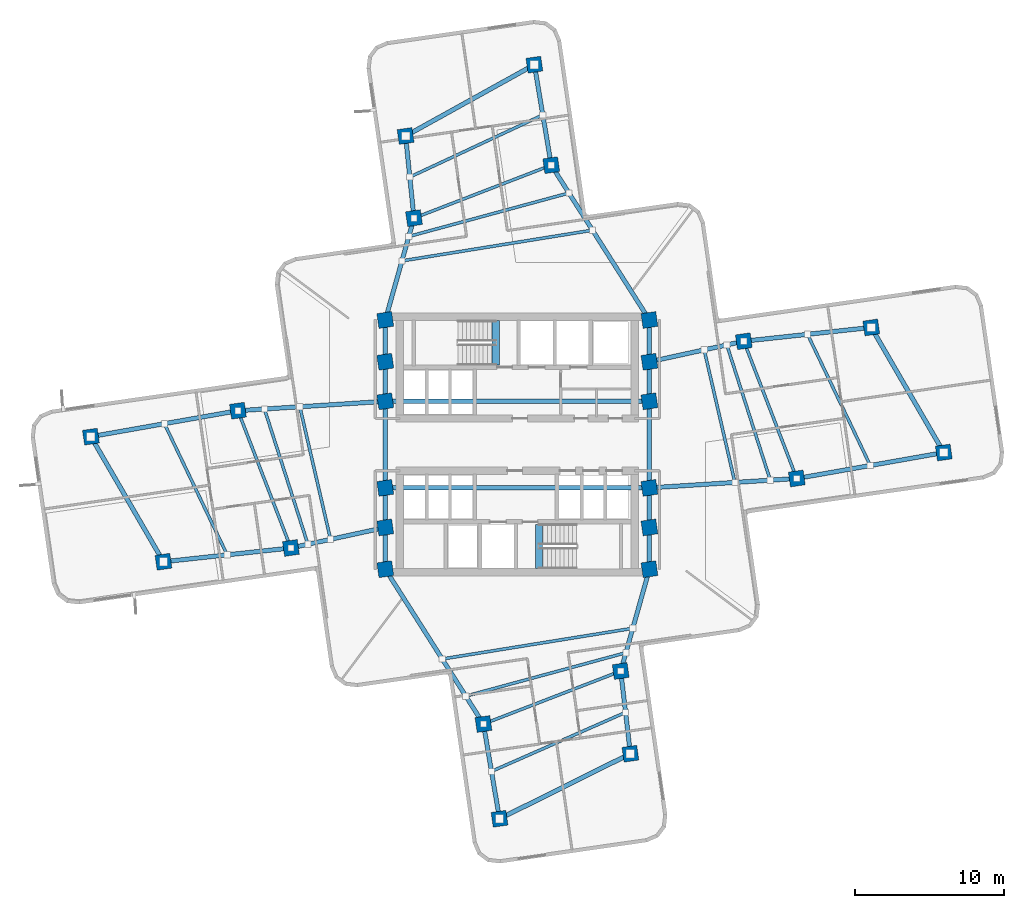
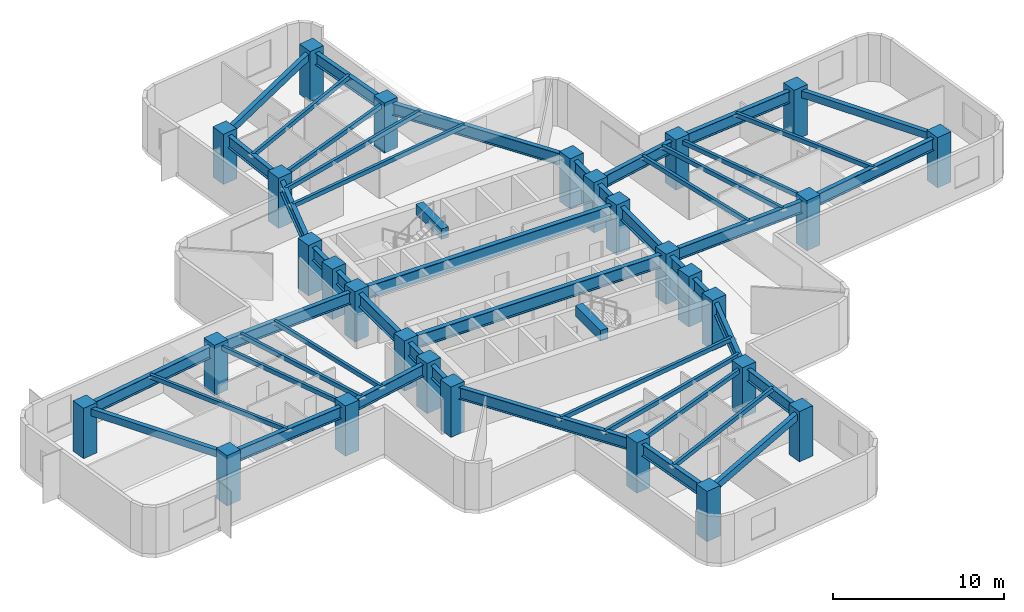
# One storey, part 1 of 10: 50 beams, 28 columns.
"""IFC4 building model written with IfcOpenShell, lengths in metres."""

from ifc_helpers import new_model, si_unit, direction, frame, origin, origin_2d, place, context, subcontext, project, spatial, rectangle, hollow_rectangle, i_section, extrude, material, material_profile, profile_set, type_object, element, save


model = new_model("IFC4")

# Units and contexts
model_context = context("Model", 3, precision=1e-05, world=origin(), true_north=direction((0.0, 1.0)))
body_context = subcontext(model_context, "Body", "Model", "MODEL_VIEW")
ifc_project = project(units=[si_unit("LENGTHUNIT", "METRE"), si_unit("AREAUNIT", "SQUARE_METRE"), si_unit("VOLUMEUNIT", "CUBIC_METRE"), si_unit("PLANEANGLEUNIT", "RADIAN"), si_unit("MASSUNIT", "GRAM", prefix="KILO")], contexts=[model_context])

# Site, building, storey
site_placement = place(None, origin())
site = spatial("IfcSite", under=ifc_project, at=site_placement, CompositionType="ELEMENT")
building_placement = place(site_placement, origin())
building = spatial("IfcBuilding", under=site, at=building_placement, Name="Solmarez Civic Tower", CompositionType="ELEMENT")
storey_placement = place(building_placement, frame((0.0, 0.0, 85.679931640625)))
storey = spatial("IfcBuildingStorey", under=building, at=storey_placement, Name="L22", CompositionType="ELEMENT", Elevation=85.679931640625)

# Columns
ifc_material_1 = material(Name="Concrete C60/75", Category="concrete")
ifc_material_profile_1 = material_profile(ifc_material_1, rectangle(XDim=1.0, YDim=1.0, at=origin_2d()), Name="RC1000X1000")
ifc_profile_set_1 = profile_set([ifc_material_profile_1], Name="Concrete C60/75")
column_type = type_object("IfcColumnType", Name="COL-RC1000", PredefinedType="COLUMN", material=ifc_profile_set_1)
for number, where, z_axis, x_axis, name in (
    (1, (-8.85009765625, -5.550048828125, 0.0), (0.0, 0.0, 1.0), (0.989776230908, 0.142628933706, 0.0), "L22 Structural Column HC1"),
    (2, (-8.85009765625, -2.89990234375, 0.0), (0.0, 0.0, 1.0), (0.989776230908, 0.142628933706, 0.0), "L22 Structural Column HC2"),
    (3, (-8.85009765625, 2.89990234375, 0.0), (0.0, 0.0, 1.0), (0.989776230908, 0.142628933706, 0.0), "L22 Structural Column HC3"),
    (4, (-8.85009765625, 5.550048828125, 0.0), (0.0, 0.0, 1.0), (0.989776230908, 0.142628933706, 0.0), "L22 Structural Column HC4"),
    (5, (8.85009765625, -5.550048828125, 0.0), (0.0, 0.0, 1.0), (0.989776230908, 0.142628933706, 0.0), "L22 Structural Column HC5"),
    (6, (8.85009765625, -2.89990234375, 0.0), (0.0, 0.0, 1.0), (0.989776230908, 0.142628933706, 0.0), "L22 Structural Column HC6"),
    (7, (8.85009765625, 2.89990234375, 0.0), (0.0, 0.0, 1.0), (0.989776230908, 0.142628933706, 0.0), "L22 Structural Column HC7"),
    (8, (8.85009765625, 5.550048828125, 0.0), (0.0, 0.0, 1.0), (0.989776230908, 0.142628933706, 0.0), "L22 Structural Column HC8"),
    (9, (-8.85009765625, 8.35009765625, 0.0), (0.0, 0.0, 1.0), (0.989776230908, 0.142628933706, 0.0), "L22 Structural Column HC9"),
    (10, (8.85009765625, -8.35009765625, 0.0), (0.0, 0.0, 1.0), (0.989776230908, 0.142628933706, 0.0), "L22 Structural Column HC10"),
    (11, (8.85009765625, 8.35009765625, 0.0), (0.0, 0.0, 1.0), (0.989776230908, 0.142628933706, 0.0), "L22 Structural Column HC11"),
    (12, (-8.85009765625, -8.35009765625, 0.0), (0.0, 0.0, 1.0), (0.989776230908, 0.142628933706, 0.0), "L22 Structural Column HC12"),
    (13, (18.72412109375, -2.27099609375, 0.0), (0.0, 0.0, 1.0), (0.989776230908, 0.142628933706, 0.0), "L22 Structural Column EA11"),
    (14, (15.175048828125, 6.927001953125, 0.0), (0.0, 0.0, 1.0), (0.989776230908, 0.142628933706, 0.0), "L22 Structural Column EA12"),
    (15, (28.575927734375, -0.532958984375, 0.0), (0.0, 0.0, 1.0), (0.989776230908, 0.142628933706, 0.0), "L22 Structural Column EA21"),
    (16, (23.715087890625, 7.85107421875, 0.0), (0.0, 0.0, 1.0), (0.989776230908, 0.142628933706, 0.0), "L22 Structural Column EA22"),
    (17, (2.27099609375, 18.72412109375, 0.0), (0.0, 0.0, 1.0), (0.989776230908, 0.142628933706, 0.0), "L22 Structural Column NA11"),
    (18, (-6.927001953125, 15.175048828125, 0.0), (0.0, 0.0, 1.0), (0.989776230908, 0.142628933706, 0.0), "L22 Structural Column NA12"),
    (19, (1.138916015625, 25.45703125, 0.0), (0.0, 0.0, 1.0), (0.989776230908, 0.142628933706, 0.0), "L22 Structural Column NA21"),
    (20, (-7.489013671875, 20.678955078125, 0.0), (0.0, 0.0, 1.0), (0.989776230908, 0.142628933706, 0.0), "L22 Structural Column NA22"),
    (21, (-18.72412109375, 2.27099609375, 0.0), (0.0, 0.0, 1.0), (0.989776230908, 0.142628933706, 0.0), "L22 Structural Column WA11"),
    (22, (-15.175048828125, -6.927001953125, 0.0), (0.0, 0.0, 1.0), (0.989776230908, 0.142628933706, 0.0), "L22 Structural Column WA12"),
    (23, (-28.575927734375, 0.532958984375, 0.0), (0.0, 0.0, 1.0), (0.989776230908, 0.142628933706, 0.0), "L22 Structural Column WA21"),
    (24, (-23.715087890625, -7.85107421875, 0.0), (0.0, 0.0, 1.0), (0.989776230908, 0.142628933706, 0.0), "L22 Structural Column WA22"),
    (25, (-2.27099609375, -18.72412109375, 0.0), (0.0, 0.0, 1.0), (0.989776230908, 0.142628933706, 0.0), "L22 Structural Column SA11"),
    (26, (6.927001953125, -15.175048828125, 0.0), (0.0, 0.0, 1.0), (0.989776230908, 0.142628933706, 0.0), "L22 Structural Column SA12"),
    (27, (-1.195068359375, -25.073974609375, 0.0), (0.0, 0.0, 1.0), (0.989776230908, 0.142628933706, 0.0), "L22 Structural Column SA21"),
    (28, (7.573974609375, -20.714111328125, 0.0), (0.0, 0.0, 1.0), (0.989776230908, 0.142628933706, 0.0), "L22 Structural Column SA22"),
):
    element("IfcColumn", number, at=place(storey_placement, frame(where, z_axis=z_axis, x_axis=x_axis)), inside=storey, type_object=column_type, Name=name, PredefinedType="COLUMN", context=body_context, shape_type="SweptSolid", body=[
        extrude(rectangle(XDim=1.0, YDim=1.0, at=origin_2d()), origin(), (0.0, 0.0, 1.0), 3.60009765625),
    ])

# Beams
ifc_material_2 = material(Name="Steel S355", Category="steel")
ifc_material_profile_2 = material_profile(ifc_material_2, hollow_rectangle(XDim=0.199951171875, YDim=0.300048828125, WallThickness=0.011962890625, at=origin_2d()), Name="HSS300X200X12")
ifc_profile_set_2 = profile_set([ifc_material_profile_2], Name="Steel S355")
beam_type_1 = type_object("IfcBeamType", Name="BM-JS-HSS300X200", PredefinedType="JOIST", material=ifc_profile_set_2)
beam_1_placement = place(storey_placement, frame((18.72412109375, -2.27099609375, 3.190185546875), z_axis=(-0.359984466214, 0.932958297077, 0.0), x_axis=(-0.932958297077, -0.359984466214, 0.0)))
element("IfcBeam", 29, at=beam_1_placement, inside=storey, type_object=beam_type_1, Name="L22 Secondary Floor Joist BM-L22-EA-T1", PredefinedType="JOIST", context=body_context, shape_type="SweptSolid", body=[
    extrude(hollow_rectangle(XDim=0.199951171875, YDim=0.300048828125, WallThickness=0.011962890625, at=origin_2d()), origin(), (0.0, 0.0, 1.0), 9.85888671875),
])
beam_2_placement = place(storey_placement, frame((23.64990234375, -1.402099609375, 3.190185546875), z_axis=(-0.431491843414, 0.902116837814, 0.0), x_axis=(-0.902116837814, -0.431491843414, 0.0)))
element("IfcBeam", 30, at=beam_2_placement, inside=storey, type_object=beam_type_1, Name="L22 Secondary Floor Joist JS-L22-EA-M2", PredefinedType="JOIST", context=body_context, shape_type="SweptSolid", body=[
    extrude(hollow_rectangle(XDim=0.199951171875, YDim=0.300048828125, WallThickness=0.011962890625, at=origin_2d()), origin(), (0.0, 0.0, 1.0), 9.744873046875),
])
beam_3_placement = place(storey_placement, frame((14.576904296875, -2.534912109375, 3.190185546875), z_axis=(-0.225762717226, 0.974182321494, 0.0), x_axis=(-0.974182321494, -0.225762717226, 0.0)))
element("IfcBeam", 31, at=beam_3_placement, inside=storey, type_object=beam_type_1, Name="L22 Secondary Floor Joist JS-L22-EA-M11", PredefinedType="JOIST", context=body_context, shape_type="SweptSolid", body=[
    extrude(hollow_rectangle(XDim=0.199951171875, YDim=0.300048828125, WallThickness=0.011962890625, at=origin_2d()), origin(), (0.0, 0.0, 1.0), 9.119384765625),
])
beam_4_placement = place(storey_placement, frame((16.947021484375, -2.384033203125, 3.190185546875), z_axis=(-0.305705295997, 0.952126184914, 0.0), x_axis=(-0.952126184914, -0.305705295997, 0.0)))
element("IfcBeam", 32, at=beam_4_placement, inside=storey, type_object=beam_type_1, Name="L22 Secondary Floor Joist JS-L22-EA-M12", PredefinedType="JOIST", context=body_context, shape_type="SweptSolid", body=[
    extrude(hollow_rectangle(XDim=0.199951171875, YDim=0.300048828125, WallThickness=0.011962890625, at=origin_2d()), origin(), (0.0, 0.0, 1.0), 9.518798828125),
])
beam_5_placement = place(storey_placement, frame((2.27099609375, 18.72412109375, 3.190185546875), z_axis=(-0.932958297077, -0.359984466214, 0.0), x_axis=(0.359984466214, -0.932958297077, 0.0)))
element("IfcBeam", 33, at=beam_5_placement, inside=storey, type_object=beam_type_1, Name="L22 Secondary Floor Joist BM-L22-NA-T1", PredefinedType="JOIST", context=body_context, shape_type="SweptSolid", body=[
    extrude(hollow_rectangle(XDim=0.199951171875, YDim=0.300048828125, WallThickness=0.011962890625, at=origin_2d()), origin(), (0.0, 0.0, 1.0), 9.85888671875),
])
beam_6_placement = place(storey_placement, frame((1.705078125, 22.090087890625, 3.190185546875), z_axis=(-0.906041066986, -0.423189774138, 0.0), x_axis=(0.423189774138, -0.906041066986, 0.0)))
element("IfcBeam", 34, at=beam_6_placement, inside=storey, type_object=beam_type_1, Name="L22 Secondary Floor Joist JS-L22-NA-M2", PredefinedType="JOIST", context=body_context, shape_type="SweptSolid", body=[
    extrude(hollow_rectangle(XDim=0.199951171875, YDim=0.300048828125, WallThickness=0.011962890625, at=origin_2d()), origin(), (0.0, 0.0, 1.0), 9.83740234375),
])
beam_7_placement = place(storey_placement, frame((5.033935546875, 14.366943359375, 3.190185546875), z_axis=(-0.987261309887, -0.159107215423, 0.0), x_axis=(0.159107215423, -0.987261309887, 0.0)))
element("IfcBeam", 35, at=beam_7_placement, inside=storey, type_object=beam_type_1, Name="L22 Secondary Floor Joist JS-L22-NA-M11", PredefinedType="JOIST", context=body_context, shape_type="SweptSolid", body=[
    extrude(hollow_rectangle(XDim=0.199951171875, YDim=0.300048828125, WallThickness=0.011962890625, at=origin_2d()), origin(), (0.0, 0.0, 1.0), 12.933837890625),
])
beam_8_placement = place(storey_placement, frame((3.455078125, 16.85693359375, 3.190185546875), z_axis=(-0.965126314795, -0.261784637614, 0.0), x_axis=(0.261784637614, -0.965126314795, 0.0)))
element("IfcBeam", 36, at=beam_8_placement, inside=storey, type_object=beam_type_1, Name="L22 Secondary Floor Joist JS-L22-NA-M12", PredefinedType="JOIST", context=body_context, shape_type="SweptSolid", body=[
    extrude(hollow_rectangle(XDim=0.199951171875, YDim=0.300048828125, WallThickness=0.011962890625, at=origin_2d()), origin(), (0.0, 0.0, 1.0), 11.11572265625),
])
beam_9_placement = place(storey_placement, frame((-18.72412109375, 2.27099609375, 3.190185546875), z_axis=(0.359984466214, -0.932958297077, 0.0), x_axis=(0.932958297077, 0.359984466214, 0.0)))
element("IfcBeam", 37, at=beam_9_placement, inside=storey, type_object=beam_type_1, Name="L22 Secondary Floor Joist BM-L22-WA-T1", PredefinedType="JOIST", context=body_context, shape_type="SweptSolid", body=[
    extrude(hollow_rectangle(XDim=0.199951171875, YDim=0.300048828125, WallThickness=0.011962890625, at=origin_2d()), origin(), (0.0, 0.0, 1.0), 9.85888671875),
])
beam_10_placement = place(storey_placement, frame((-23.64990234375, 1.402099609375, 3.190185546875), z_axis=(0.431491843414, -0.902116837814, 0.0), x_axis=(0.902116837814, 0.431491843414, 0.0)))
element("IfcBeam", 38, at=beam_10_placement, inside=storey, type_object=beam_type_1, Name="L22 Secondary Floor Joist JS-L22-WA-M2", PredefinedType="JOIST", context=body_context, shape_type="SweptSolid", body=[
    extrude(hollow_rectangle(XDim=0.199951171875, YDim=0.300048828125, WallThickness=0.011962890625, at=origin_2d()), origin(), (0.0, 0.0, 1.0), 9.744873046875),
])
beam_11_placement = place(storey_placement, frame((-14.576904296875, 2.534912109375, 3.190185546875), z_axis=(0.225762717226, -0.974182321494, 0.0), x_axis=(0.974182321494, 0.225762717226, 0.0)))
element("IfcBeam", 39, at=beam_11_placement, inside=storey, type_object=beam_type_1, Name="L22 Secondary Floor Joist JS-L22-WA-M11", PredefinedType="JOIST", context=body_context, shape_type="SweptSolid", body=[
    extrude(hollow_rectangle(XDim=0.199951171875, YDim=0.300048828125, WallThickness=0.011962890625, at=origin_2d()), origin(), (0.0, 0.0, 1.0), 9.119384765625),
])
beam_12_placement = place(storey_placement, frame((-16.947021484375, 2.384033203125, 3.190185546875), z_axis=(0.305705295997, -0.952126184914, 0.0), x_axis=(0.952126184914, 0.305705295997, 0.0)))
element("IfcBeam", 40, at=beam_12_placement, inside=storey, type_object=beam_type_1, Name="L22 Secondary Floor Joist JS-L22-WA-M12", PredefinedType="JOIST", context=body_context, shape_type="SweptSolid", body=[
    extrude(hollow_rectangle(XDim=0.199951171875, YDim=0.300048828125, WallThickness=0.011962890625, at=origin_2d()), origin(), (0.0, 0.0, 1.0), 9.518798828125),
])
beam_13_placement = place(storey_placement, frame((-2.27099609375, -18.72412109375, 3.190185546875), z_axis=(0.932958297077, 0.359984466214, 0.0), x_axis=(-0.359984466214, 0.932958297077, 0.0)))
element("IfcBeam", 41, at=beam_13_placement, inside=storey, type_object=beam_type_1, Name="L22 Secondary Floor Joist BM-L22-SA-T1", PredefinedType="JOIST", context=body_context, shape_type="SweptSolid", body=[
    extrude(hollow_rectangle(XDim=0.199951171875, YDim=0.300048828125, WallThickness=0.011962890625, at=origin_2d()), origin(), (0.0, 0.0, 1.0), 9.85888671875),
])
beam_14_placement = place(storey_placement, frame((-1.73291015625, -21.89892578125, 3.190185546875), z_axis=(0.915226616427, 0.402939499905, 0.0), x_axis=(-0.402939499905, 0.915226616427, 0.0)))
element("IfcBeam", 42, at=beam_14_placement, inside=storey, type_object=beam_type_1, Name="L22 Secondary Floor Joist JS-L22-SA-M2", PredefinedType="JOIST", context=body_context, shape_type="SweptSolid", body=[
    extrude(hollow_rectangle(XDim=0.199951171875, YDim=0.300048828125, WallThickness=0.011962890625, at=origin_2d()), origin(), (0.0, 0.0, 1.0), 9.81494140625),
])
beam_15_placement = place(storey_placement, frame((-5.033935546875, -14.366943359375, 3.190185546875), z_axis=(0.987261309887, 0.159107215423, 0.0), x_axis=(-0.159107215423, 0.987261309887, 0.0)))
element("IfcBeam", 43, at=beam_15_placement, inside=storey, type_object=beam_type_1, Name="L22 Secondary Floor Joist JS-L22-SA-M11", PredefinedType="JOIST", context=body_context, shape_type="SweptSolid", body=[
    extrude(hollow_rectangle(XDim=0.199951171875, YDim=0.300048828125, WallThickness=0.011962890625, at=origin_2d()), origin(), (0.0, 0.0, 1.0), 12.933837890625),
])
beam_16_placement = place(storey_placement, frame((-3.455078125, -16.85693359375, 3.190185546875), z_axis=(0.965126314795, 0.261784637614, 0.0), x_axis=(-0.261784637614, 0.965126314795, 0.0)))
element("IfcBeam", 44, at=beam_16_placement, inside=storey, type_object=beam_type_1, Name="L22 Secondary Floor Joist JS-L22-SA-M12", PredefinedType="JOIST", context=body_context, shape_type="SweptSolid", body=[
    extrude(hollow_rectangle(XDim=0.199951171875, YDim=0.300048828125, WallThickness=0.011962890625, at=origin_2d()), origin(), (0.0, 0.0, 1.0), 11.11572265625),
])
ifc_material_3 = material(Name="Concrete C50/60", Category="concrete")
ifc_material_profile_3 = material_profile(ifc_material_3, rectangle(XDim=0.5, YDim=0.75, at=origin_2d()), Name="RC500X750")
ifc_profile_set_3 = profile_set([ifc_material_profile_3], Name="Concrete C50/60")
beam_type_2 = type_object("IfcBeamType", Name="BM-PR-RC500X750", PredefinedType="BEAM", material=ifc_profile_set_3)
for number, where, z_axis, x_axis, name in (
    (45, (-1.449951171875, 5.340087890625, 3.233154296875), (0.0, 1.0, 0.0), (-1.0, 0.0, 0.0), "L22 North Stair Threshold Beam"),
    (46, (1.449951171875, -8.300048828125, 3.233154296875), (0.0, 1.0, 0.0), (-1.0, 0.0, 0.0), "L22 South Stair Threshold Beam"),
):
    element("IfcBeam", number, at=place(storey_placement, frame(where, z_axis=z_axis, x_axis=x_axis)), inside=storey, type_object=beam_type_2, Name=name, PredefinedType="BEAM", context=body_context, shape_type="SweptSolid", body=[
        extrude(rectangle(XDim=0.5, YDim=0.75, at=origin_2d()), origin(), (0.0, 0.0, 1.0), 2.9599609375),
    ])
ifc_material_profile_4 = material_profile(ifc_material_2, i_section(OverallWidth=0.2919921875, OverallDepth=0.845947265625, WebThickness=0.015380859375, FlangeThickness=0.0244140625, at=origin_2d()), Name="W33X141")
ifc_profile_set_4 = profile_set([ifc_material_profile_4], Name="Steel S355")
beam_type_3 = type_object("IfcBeamType", Name="BM-PR-W33X141", PredefinedType="BEAM", material=ifc_profile_set_4)
beam_17_placement = place(storey_placement, frame((8.85009765625, -2.89990234375, 2.9169921875), z_axis=(0.997977751208, 0.063564204508, 0.0), x_axis=(-0.063564204508, 0.997977751208, 0.0)))
element("IfcBeam", 47, at=beam_17_placement, inside=storey, type_object=beam_type_3, Name="L22 Primary Floor Beam BM-L22-EA-R1A", PredefinedType="BEAM", context=body_context, shape_type="SweptSolid", body=[
    extrude(i_section(OverallWidth=0.2919921875, OverallDepth=0.845947265625, WebThickness=0.015380859375, FlangeThickness=0.0244140625, at=origin_2d()), origin(), (0.0, 0.0, 1.0), 9.89404296875),
])
beam_18_placement = place(storey_placement, frame((8.85009765625, 5.550048828125, 2.9169921875), z_axis=(0.977113347202, 0.212719314402, 0.0), x_axis=(-0.212719314402, 0.977113347202, 0.0)))
element("IfcBeam", 48, at=beam_18_placement, inside=storey, type_object=beam_type_3, Name="L22 Primary Floor Beam BM-L22-EA-R1B", PredefinedType="BEAM", context=body_context, shape_type="SweptSolid", body=[
    extrude(i_section(OverallWidth=0.2919921875, OverallDepth=0.845947265625, WebThickness=0.015380859375, FlangeThickness=0.0244140625, at=origin_2d()), origin(), (0.0, 0.0, 1.0), 6.47314453125),
])
beam_19_placement = place(storey_placement, frame((18.72412109375, -2.27099609375, 2.9169921875), z_axis=(0.984792402105, 0.173735214497, 0.0), x_axis=(-0.173735214497, 0.984792402105, 0.0)))
element("IfcBeam", 49, at=beam_19_placement, inside=storey, type_object=beam_type_3, Name="L22 Primary Floor Beam BM-L22-EA-R2A", PredefinedType="BEAM", context=body_context, shape_type="SweptSolid", body=[
    extrude(i_section(OverallWidth=0.2919921875, OverallDepth=0.845947265625, WebThickness=0.015380859375, FlangeThickness=0.0244140625, at=origin_2d()), origin(), (0.0, 0.0, 1.0), 10.00390625),
])
beam_20_placement = place(storey_placement, frame((15.175048828125, 6.927001953125, 2.9169921875), z_axis=(0.994196782435, 0.107576753045, 0.0), x_axis=(-0.107576753045, 0.994196782435, 0.0)))
element("IfcBeam", 50, at=beam_20_placement, inside=storey, type_object=beam_type_3, Name="L22 Primary Floor Beam BM-L22-EA-R2B", PredefinedType="BEAM", context=body_context, shape_type="SweptSolid", body=[
    extrude(i_section(OverallWidth=0.2919921875, OverallDepth=0.845947265625, WebThickness=0.015380859375, FlangeThickness=0.0244140625, at=origin_2d()), origin(), (0.0, 0.0, 1.0), 8.58984375),
])
beam_21_placement = place(storey_placement, frame((8.85009765625, 8.35009765625, 2.9169921875), z_axis=(-0.535568299099, 0.84449191648, 0.0), x_axis=(-0.84449191648, -0.535568299099, 0.0)))
element("IfcBeam", 51, at=beam_21_placement, inside=storey, type_object=beam_type_3, Name="L22 Primary Floor Beam BM-L22-NA-R1A", PredefinedType="BEAM", context=body_context, shape_type="SweptSolid", body=[
    extrude(i_section(OverallWidth=0.2919921875, OverallDepth=0.845947265625, WebThickness=0.015380859375, FlangeThickness=0.0244140625, at=origin_2d()), origin(), (0.0, 0.0, 1.0), 12.284423828125),
])
beam_22_placement = place(storey_placement, frame((-8.85009765625, 8.35009765625, 2.9169921875), z_axis=(0.271213183726, 0.962519303169, 0.0), x_axis=(-0.962519303169, 0.271213183726, 0.0)))
element("IfcBeam", 52, at=beam_22_placement, inside=storey, type_object=beam_type_3, Name="L22 Primary Floor Beam BM-L22-NA-R1B", PredefinedType="BEAM", context=body_context, shape_type="SweptSolid", body=[
    extrude(i_section(OverallWidth=0.2919921875, OverallDepth=0.845947265625, WebThickness=0.015380859375, FlangeThickness=0.0244140625, at=origin_2d()), origin(), (0.0, 0.0, 1.0), 7.0908203125),
])
beam_23_placement = place(storey_placement, frame((2.27099609375, 18.72412109375, 2.9169921875), z_axis=(-0.165813708215, 0.986157094062, 0.0), x_axis=(-0.986157094062, -0.165813708215, 0.0)))
element("IfcBeam", 53, at=beam_23_placement, inside=storey, type_object=beam_type_3, Name="L22 Primary Floor Beam BM-L22-NA-R2A", PredefinedType="BEAM", context=body_context, shape_type="SweptSolid", body=[
    extrude(i_section(OverallWidth=0.2919921875, OverallDepth=0.845947265625, WebThickness=0.015380859375, FlangeThickness=0.0244140625, at=origin_2d()), origin(), (0.0, 0.0, 1.0), 6.827392578125),
])
beam_24_placement = place(storey_placement, frame((-6.927001953125, 15.175048828125, 2.9169921875), z_axis=(-0.101583208843, 0.994827046115, 0.0), x_axis=(-0.994827046115, -0.101583208843, 0.0)))
element("IfcBeam", 54, at=beam_24_placement, inside=storey, type_object=beam_type_3, Name="L22 Primary Floor Beam BM-L22-NA-R2B", PredefinedType="BEAM", context=body_context, shape_type="SweptSolid", body=[
    extrude(i_section(OverallWidth=0.2919921875, OverallDepth=0.845947265625, WebThickness=0.015380859375, FlangeThickness=0.0244140625, at=origin_2d()), origin(), (0.0, 0.0, 1.0), 5.532470703125),
])
beam_25_placement = place(storey_placement, frame((-8.85009765625, 2.89990234375, 2.9169921875), z_axis=(-0.997977751208, -0.063564204508, 0.0), x_axis=(0.063564204508, -0.997977751208, 0.0)))
element("IfcBeam", 55, at=beam_25_placement, inside=storey, type_object=beam_type_3, Name="L22 Primary Floor Beam BM-L22-WA-R1A", PredefinedType="BEAM", context=body_context, shape_type="SweptSolid", body=[
    extrude(i_section(OverallWidth=0.2919921875, OverallDepth=0.845947265625, WebThickness=0.015380859375, FlangeThickness=0.0244140625, at=origin_2d()), origin(), (0.0, 0.0, 1.0), 9.89404296875),
])
beam_26_placement = place(storey_placement, frame((-8.85009765625, -5.550048828125, 2.9169921875), z_axis=(-0.977113347202, -0.212719314402, 0.0), x_axis=(0.212719314402, -0.977113347202, 0.0)))
element("IfcBeam", 56, at=beam_26_placement, inside=storey, type_object=beam_type_3, Name="L22 Primary Floor Beam BM-L22-WA-R1B", PredefinedType="BEAM", context=body_context, shape_type="SweptSolid", body=[
    extrude(i_section(OverallWidth=0.2919921875, OverallDepth=0.845947265625, WebThickness=0.015380859375, FlangeThickness=0.0244140625, at=origin_2d()), origin(), (0.0, 0.0, 1.0), 6.47314453125),
])
beam_27_placement = place(storey_placement, frame((-18.72412109375, 2.27099609375, 2.9169921875), z_axis=(-0.984792402105, -0.173735214497, 0.0), x_axis=(0.173735214497, -0.984792402105, 0.0)))
element("IfcBeam", 57, at=beam_27_placement, inside=storey, type_object=beam_type_3, Name="L22 Primary Floor Beam BM-L22-WA-R2A", PredefinedType="BEAM", context=body_context, shape_type="SweptSolid", body=[
    extrude(i_section(OverallWidth=0.2919921875, OverallDepth=0.845947265625, WebThickness=0.015380859375, FlangeThickness=0.0244140625, at=origin_2d()), origin(), (0.0, 0.0, 1.0), 10.00390625),
])
beam_28_placement = place(storey_placement, frame((-15.175048828125, -6.927001953125, 2.9169921875), z_axis=(-0.994196782435, -0.107576753045, 0.0), x_axis=(0.107576753045, -0.994196782435, 0.0)))
element("IfcBeam", 58, at=beam_28_placement, inside=storey, type_object=beam_type_3, Name="L22 Primary Floor Beam BM-L22-WA-R2B", PredefinedType="BEAM", context=body_context, shape_type="SweptSolid", body=[
    extrude(i_section(OverallWidth=0.2919921875, OverallDepth=0.845947265625, WebThickness=0.015380859375, FlangeThickness=0.0244140625, at=origin_2d()), origin(), (0.0, 0.0, 1.0), 8.58984375),
])
beam_29_placement = place(storey_placement, frame((-8.85009765625, -8.35009765625, 2.9169921875), z_axis=(0.535568299099, -0.84449191648, 0.0), x_axis=(0.84449191648, 0.535568299099, 0.0)))
element("IfcBeam", 59, at=beam_29_placement, inside=storey, type_object=beam_type_3, Name="L22 Primary Floor Beam BM-L22-SA-R1A", PredefinedType="BEAM", context=body_context, shape_type="SweptSolid", body=[
    extrude(i_section(OverallWidth=0.2919921875, OverallDepth=0.845947265625, WebThickness=0.015380859375, FlangeThickness=0.0244140625, at=origin_2d()), origin(), (0.0, 0.0, 1.0), 12.284423828125),
])
beam_30_placement = place(storey_placement, frame((8.85009765625, -8.35009765625, 2.9169921875), z_axis=(-0.271213183726, -0.962519303169, 0.0), x_axis=(0.962519303169, -0.271213183726, 0.0)))
element("IfcBeam", 60, at=beam_30_placement, inside=storey, type_object=beam_type_3, Name="L22 Primary Floor Beam BM-L22-SA-R1B", PredefinedType="BEAM", context=body_context, shape_type="SweptSolid", body=[
    extrude(i_section(OverallWidth=0.2919921875, OverallDepth=0.845947265625, WebThickness=0.015380859375, FlangeThickness=0.0244140625, at=origin_2d()), origin(), (0.0, 0.0, 1.0), 7.0908203125),
])
beam_31_placement = place(storey_placement, frame((-2.27099609375, -18.72412109375, 2.9169921875), z_axis=(0.167060138422, -0.985946707561, 0.0), x_axis=(0.985946707561, 0.167060138422, 0.0)))
element("IfcBeam", 61, at=beam_31_placement, inside=storey, type_object=beam_type_3, Name="L22 Primary Floor Beam BM-L22-SA-R2A", PredefinedType="BEAM", context=body_context, shape_type="SweptSolid", body=[
    extrude(i_section(OverallWidth=0.2919921875, OverallDepth=0.845947265625, WebThickness=0.015380859375, FlangeThickness=0.0244140625, at=origin_2d()), origin(), (0.0, 0.0, 1.0), 6.4404296875),
])
beam_32_placement = place(storey_placement, frame((6.927001953125, -15.175048828125, 2.9169921875), z_axis=(0.11601314993, -0.993247677593, 0.0), x_axis=(0.993247677593, 0.11601314993, 0.0)))
element("IfcBeam", 62, at=beam_32_placement, inside=storey, type_object=beam_type_3, Name="L22 Primary Floor Beam BM-L22-SA-R2B", PredefinedType="BEAM", context=body_context, shape_type="SweptSolid", body=[
    extrude(i_section(OverallWidth=0.2919921875, OverallDepth=0.845947265625, WebThickness=0.015380859375, FlangeThickness=0.0244140625, at=origin_2d()), origin(), (0.0, 0.0, 1.0), 5.57666015625),
])
ifc_material_profile_5 = material_profile(ifc_material_2, i_section(OverallWidth=0.306884765625, OverallDepth=0.927001953125, WebThickness=0.019287109375, FlangeThickness=0.031982421875, at=origin_2d()), Name="W36X194")
ifc_profile_set_5 = profile_set([ifc_material_profile_5], Name="Steel S355")
beam_type_4 = type_object("IfcBeamType", Name="BM-PR-W36X194", PredefinedType="BEAM", material=ifc_profile_set_5)
beam_33_placement = place(storey_placement, frame((-8.85009765625, -8.35009765625, 2.8759765625), z_axis=(0.0, 1.0, 0.0), x_axis=(-1.0, 0.0, 0.0)))
element("IfcBeam", 63, at=beam_33_placement, inside=storey, type_object=beam_type_4, Name="L22 Primary Floor Beam BM-L22-HC12-HC1", PredefinedType="BEAM", context=body_context, shape_type="SweptSolid", body=[
    extrude(i_section(OverallWidth=0.306884765625, OverallDepth=0.927001953125, WebThickness=0.019287109375, FlangeThickness=0.031982421875, at=origin_2d()), origin(), (0.0, 0.0, 1.0), 2.800048828125),
])
beam_34_placement = place(storey_placement, frame((-8.85009765625, -5.550048828125, 2.8759765625), z_axis=(0.0, 1.0, 0.0), x_axis=(-1.0, 0.0, 0.0)))
element("IfcBeam", 64, at=beam_34_placement, inside=storey, type_object=beam_type_4, Name="L22 Primary Floor Beam BM-L22-HC1-HC2", PredefinedType="BEAM", context=body_context, shape_type="SweptSolid", body=[
    extrude(i_section(OverallWidth=0.306884765625, OverallDepth=0.927001953125, WebThickness=0.019287109375, FlangeThickness=0.031982421875, at=origin_2d()), origin(), (0.0, 0.0, 1.0), 2.650146484375),
])
beam_35_placement = place(storey_placement, frame((-8.85009765625, -2.89990234375, 2.8759765625), z_axis=(0.0, 1.0, 0.0), x_axis=(-1.0, 0.0, 0.0)))
element("IfcBeam", 65, at=beam_35_placement, inside=storey, type_object=beam_type_4, Name="L22 Primary Floor Beam BM-L22-HC2-HC3", PredefinedType="BEAM", context=body_context, shape_type="SweptSolid", body=[
    extrude(i_section(OverallWidth=0.306884765625, OverallDepth=0.927001953125, WebThickness=0.019287109375, FlangeThickness=0.031982421875, at=origin_2d()), origin(), (0.0, 0.0, 1.0), 5.7998046875),
])
beam_36_placement = place(storey_placement, frame((-8.85009765625, 2.89990234375, 2.8759765625), z_axis=(0.0, 1.0, 0.0), x_axis=(-1.0, 0.0, 0.0)))
element("IfcBeam", 66, at=beam_36_placement, inside=storey, type_object=beam_type_4, Name="L22 Primary Floor Beam BM-L22-HC3-HC4", PredefinedType="BEAM", context=body_context, shape_type="SweptSolid", body=[
    extrude(i_section(OverallWidth=0.306884765625, OverallDepth=0.927001953125, WebThickness=0.019287109375, FlangeThickness=0.031982421875, at=origin_2d()), origin(), (0.0, 0.0, 1.0), 2.650146484375),
])
for number, where, z_axis, x_axis, name in (
    (67, (-8.85009765625, 5.550048828125, 2.8759765625), (0.0, 1.0, 0.0), (-1.0, 0.0, 0.0), "L22 Primary Floor Beam BM-L22-HC4-HC9"),
    (68, (8.85009765625, -8.35009765625, 2.8759765625), (0.0, 1.0, 0.0), (-1.0, 0.0, 0.0), "L22 Primary Floor Beam BM-L22-HC10-HC5"),
):
    element("IfcBeam", number, at=place(storey_placement, frame(where, z_axis=z_axis, x_axis=x_axis)), inside=storey, type_object=beam_type_4, Name=name, PredefinedType="BEAM", context=body_context, shape_type="SweptSolid", body=[
        extrude(i_section(OverallWidth=0.306884765625, OverallDepth=0.927001953125, WebThickness=0.019287109375, FlangeThickness=0.031982421875, at=origin_2d()), origin(), (0.0, 0.0, 1.0), 2.800048828125),
    ])
beam_37_placement = place(storey_placement, frame((8.85009765625, -5.550048828125, 2.8759765625), z_axis=(0.0, 1.0, 0.0), x_axis=(-1.0, 0.0, 0.0)))
element("IfcBeam", 69, at=beam_37_placement, inside=storey, type_object=beam_type_4, Name="L22 Primary Floor Beam BM-L22-HC5-HC6", PredefinedType="BEAM", context=body_context, shape_type="SweptSolid", body=[
    extrude(i_section(OverallWidth=0.306884765625, OverallDepth=0.927001953125, WebThickness=0.019287109375, FlangeThickness=0.031982421875, at=origin_2d()), origin(), (0.0, 0.0, 1.0), 2.650146484375),
])
beam_38_placement = place(storey_placement, frame((8.85009765625, -2.89990234375, 2.8759765625), z_axis=(0.0, 1.0, 0.0), x_axis=(-1.0, 0.0, 0.0)))
element("IfcBeam", 70, at=beam_38_placement, inside=storey, type_object=beam_type_4, Name="L22 Primary Floor Beam BM-L22-HC6-HC7", PredefinedType="BEAM", context=body_context, shape_type="SweptSolid", body=[
    extrude(i_section(OverallWidth=0.306884765625, OverallDepth=0.927001953125, WebThickness=0.019287109375, FlangeThickness=0.031982421875, at=origin_2d()), origin(), (0.0, 0.0, 1.0), 5.7998046875),
])
beam_39_placement = place(storey_placement, frame((8.85009765625, 2.89990234375, 2.8759765625), z_axis=(0.0, 1.0, 0.0), x_axis=(-1.0, 0.0, 0.0)))
element("IfcBeam", 71, at=beam_39_placement, inside=storey, type_object=beam_type_4, Name="L22 Primary Floor Beam BM-L22-HC7-HC8", PredefinedType="BEAM", context=body_context, shape_type="SweptSolid", body=[
    extrude(i_section(OverallWidth=0.306884765625, OverallDepth=0.927001953125, WebThickness=0.019287109375, FlangeThickness=0.031982421875, at=origin_2d()), origin(), (0.0, 0.0, 1.0), 2.650146484375),
])
beam_40_placement = place(storey_placement, frame((8.85009765625, 5.550048828125, 2.8759765625), z_axis=(0.0, 1.0, 0.0), x_axis=(-1.0, 0.0, 0.0)))
element("IfcBeam", 72, at=beam_40_placement, inside=storey, type_object=beam_type_4, Name="L22 Primary Floor Beam BM-L22-HC8-HC11", PredefinedType="BEAM", context=body_context, shape_type="SweptSolid", body=[
    extrude(i_section(OverallWidth=0.306884765625, OverallDepth=0.927001953125, WebThickness=0.019287109375, FlangeThickness=0.031982421875, at=origin_2d()), origin(), (0.0, 0.0, 1.0), 2.800048828125),
])
for number, where, z_axis, x_axis, name in (
    (73, (-8.85009765625, -2.89990234375, 2.8759765625), (1.0, 0.0, 0.0), (0.0, 1.0, 0.0), "L22 Primary Floor Beam BM-L22-HC2-HC6"),
    (74, (-8.85009765625, 2.89990234375, 2.8759765625), (1.0, 0.0, 0.0), (0.0, 1.0, 0.0), "L22 Primary Floor Beam BM-L22-HC3-HC7"),
):
    element("IfcBeam", number, at=place(storey_placement, frame(where, z_axis=z_axis, x_axis=x_axis)), inside=storey, type_object=beam_type_4, Name=name, PredefinedType="BEAM", context=body_context, shape_type="SweptSolid", body=[
        extrude(i_section(OverallWidth=0.306884765625, OverallDepth=0.927001953125, WebThickness=0.019287109375, FlangeThickness=0.031982421875, at=origin_2d()), origin(), (0.0, 0.0, 1.0), 17.7001953125),
    ])
ifc_material_profile_6 = material_profile(ifc_material_2, hollow_rectangle(XDim=0.300048828125, YDim=0.5, WallThickness=0.02001953125, at=origin_2d()), Name="HSS500X300X20")
ifc_profile_set_6 = profile_set([ifc_material_profile_6], Name="Steel S355")
beam_type_5 = type_object("IfcBeamType", Name="BM-SP-HSS500X300", PredefinedType="SPANDREL", material=ifc_profile_set_6)
beam_41_placement = place(storey_placement, frame((28.575927734375, -0.532958984375, 3.090087890625), z_axis=(-0.501571424933, 0.865116238254, 0.0), x_axis=(-0.865116238254, -0.501571424933, 0.0)))
element("IfcBeam", 75, at=beam_41_placement, inside=storey, type_object=beam_type_5, Name="L22 Perimeter Spandrel Beam BM-L22-EA-T2", PredefinedType="SPANDREL", context=body_context, shape_type="SweptSolid", body=[
    extrude(hollow_rectangle(XDim=0.300048828125, YDim=0.5, WallThickness=0.02001953125, at=origin_2d()), origin(), (0.0, 0.0, 1.0), 9.691162109375),
])
beam_42_placement = place(storey_placement, frame((1.138916015625, 25.45703125, 3.090087890625), z_axis=(-0.874811531682, -0.484463398035, 0.0), x_axis=(0.484463398035, -0.874811531682, 0.0)))
element("IfcBeam", 76, at=beam_42_placement, inside=storey, type_object=beam_type_5, Name="L22 Perimeter Spandrel Beam BM-L22-NA-T2", PredefinedType="SPANDREL", context=body_context, shape_type="SweptSolid", body=[
    extrude(hollow_rectangle(XDim=0.300048828125, YDim=0.5, WallThickness=0.02001953125, at=origin_2d()), origin(), (0.0, 0.0, 1.0), 9.862548828125),
])
beam_43_placement = place(storey_placement, frame((-28.575927734375, 0.532958984375, 3.090087890625), z_axis=(0.501571424933, -0.865116238254, 0.0), x_axis=(0.865116238254, 0.501571424933, 0.0)))
element("IfcBeam", 77, at=beam_43_placement, inside=storey, type_object=beam_type_5, Name="L22 Perimeter Spandrel Beam BM-L22-WA-T2", PredefinedType="SPANDREL", context=body_context, shape_type="SweptSolid", body=[
    extrude(hollow_rectangle(XDim=0.300048828125, YDim=0.5, WallThickness=0.02001953125, at=origin_2d()), origin(), (0.0, 0.0, 1.0), 9.691162109375),
])
beam_44_placement = place(storey_placement, frame((-1.195068359375, -25.073974609375, 3.090087890625), z_axis=(0.895432090654, 0.445198125589, 0.0), x_axis=(-0.445198125589, 0.895432090654, 0.0)))
element("IfcBeam", 78, at=beam_44_placement, inside=storey, type_object=beam_type_5, Name="L22 Perimeter Spandrel Beam BM-L22-SA-T2", PredefinedType="SPANDREL", context=body_context, shape_type="SweptSolid", body=[
    extrude(hollow_rectangle(XDim=0.300048828125, YDim=0.5, WallThickness=0.02001953125, at=origin_2d()), origin(), (0.0, 0.0, 1.0), 9.79296875),
])

save(model, "model.ifc")
